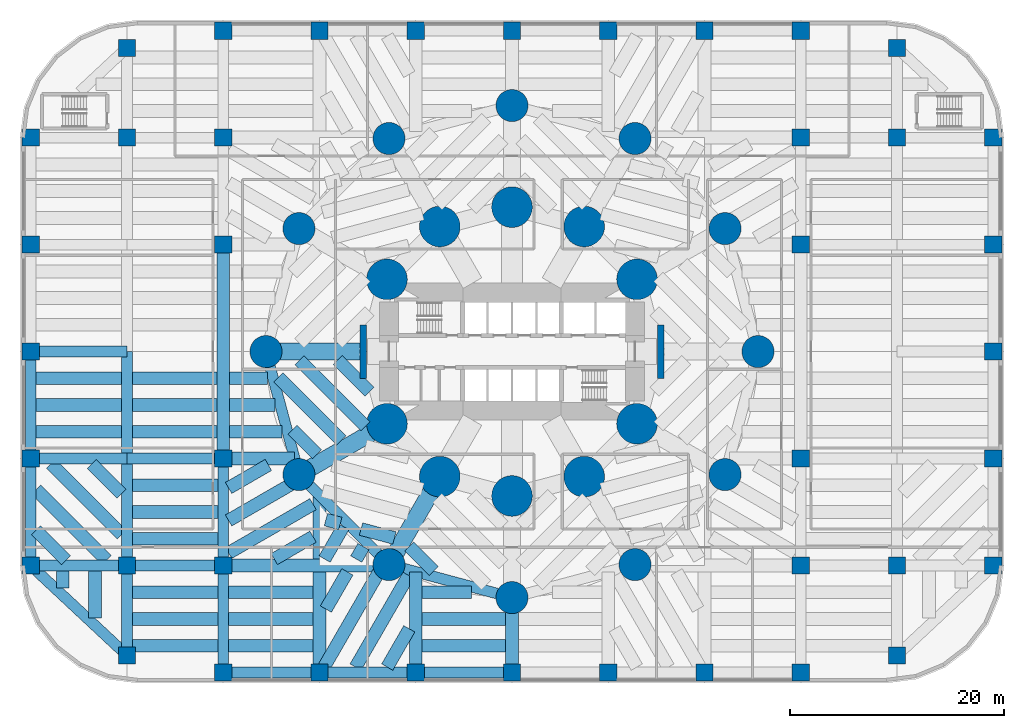
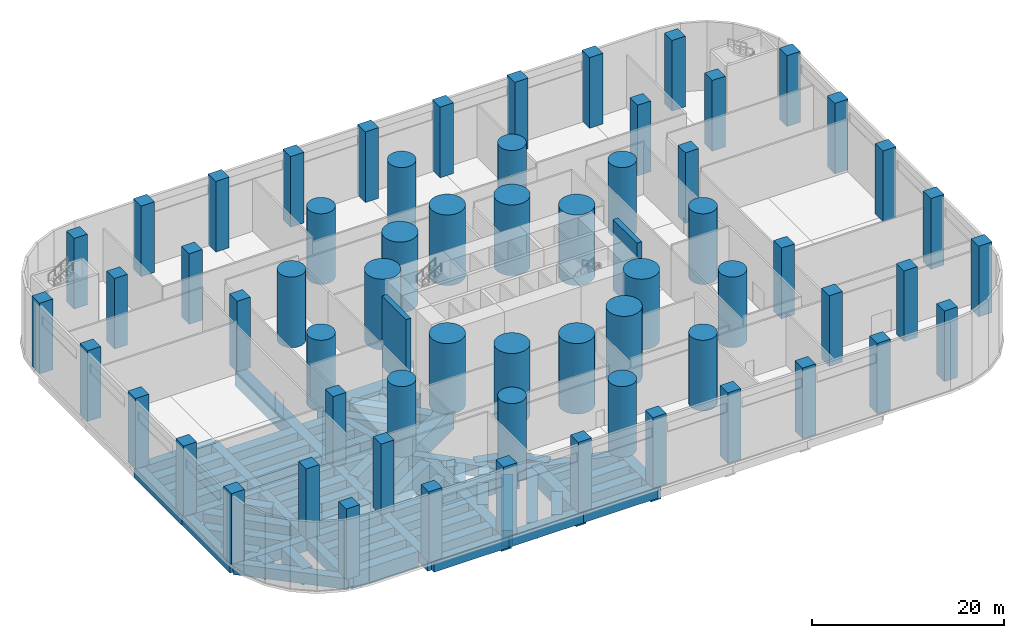
# One storey, part 1 of 13: 72 beams, 64 columns.
"""IFC4 building model written with IfcOpenShell, lengths in metres."""

import ifcopenshell
import ifcopenshell.guid

model = None  # the IFC model being written
_history = None  # IfcOwnerHistory: only IFC2X3 demands one
_inside = {}  # id of a spatial element -> (the spatial element, [elements in it])
_under = {}  # id of a project, library or spatial element -> (it, [spatial elements below it])
_declared = {}  # id of a project -> (the project, [libraries it declares])
_typed = {}  # id of a type object -> (the type object, [elements of that type])
_made_of = {}  # id of a material, layer set ... -> (it, [elements and type objects made of it])


def new_model(schema):
    """Start an empty IFC model of exactly this schema.

    Asked for "IFC4X3", IfcOpenShell would pick the latest addendum, in which some entities
    have other attributes; the version numbers below select the first issue.
    IFC2X3 requires an IfcOwnerHistory on every rooted entity: one is made here for all.
    """
    global model, _history
    if schema == "IFC4X3":
        model = ifcopenshell.file(schema_version=(4, 3, 0, 0))
    else:
        model = ifcopenshell.file(schema=schema)
    _inside.clear()
    _under.clear()
    _declared.clear()
    _typed.clear()
    _made_of.clear()
    _history = None
    if model.schema == "IFC2X3":
        org = make("IfcOrganization", Name="unknown")
        user = make(
            "IfcPersonAndOrganization",
            ThePerson=make("IfcPerson", FamilyName="unknown"),
            TheOrganization=org,
        )
        app = make(
            "IfcApplication",
            ApplicationDeveloper=org,
            Version="unknown",
            ApplicationFullName="unknown",
            ApplicationIdentifier="unknown",
        )
        _history = make(
            "IfcOwnerHistory",
            OwningUser=user,
            OwningApplication=app,
            ChangeAction="ADDED",
            CreationDate=0,
        )
    return model


def make(cls, **values):
    """One entity of the class cls with the attributes given. An attribute that is None is left unset."""
    return model.create_entity(
        cls, **{name: value for name, value in values.items() if value is not None}
    )


def rooted(cls, **values):
    """An entity with a GlobalId (a new one), such as an element, a storey or a relation."""
    return make(cls, GlobalId=ifcopenshell.guid.new(), OwnerHistory=_history, **values)


def si_unit(unit_type, name, prefix=None):
    """IfcSIUnit, for example si_unit("LENGTHUNIT", "METRE", prefix="MILLI")."""
    return make("IfcSIUnit", UnitType=unit_type, Prefix=prefix, Name=name)


def assignment(units):
    """IfcUnitAssignment: the units of a project."""
    return None if units is None else make("IfcUnitAssignment", Units=units)


def point(xyz):
    """IfcCartesianPoint."""
    return None if xyz is None else make("IfcCartesianPoint", Coordinates=xyz)


def direction(xyz):
    """IfcDirection."""
    return None if xyz is None else make("IfcDirection", DirectionRatios=xyz)


def frame(location, z_axis=None, x_axis=None):
    """IfcAxis2Placement3D, a coordinate frame: its origin and axes. An axis left out is left unset."""
    return make(
        "IfcAxis2Placement3D",
        Location=point(location),
        Axis=direction(z_axis),
        RefDirection=direction(x_axis),
    )


def frame_2d(location, x_axis=None):
    """IfcAxis2Placement2D, a coordinate frame in the plane: its origin and x axis."""
    return make(
        "IfcAxis2Placement2D", Location=point(location), RefDirection=direction(x_axis)
    )


def origin():
    """The frame at (0, 0, 0) with its axes left unset."""
    return frame((0.0, 0.0, 0.0))


def origin_2d():
    """The frame at (0, 0) in the plane with its x axis left unset."""
    return frame_2d((0.0, 0.0))


def place(relative_to, where):
    """IfcLocalPlacement: puts the frame where relative to a parent placement (None: the world)."""
    return make(
        "IfcLocalPlacement", PlacementRelTo=relative_to, RelativePlacement=where
    )


def context(
    kind, dimensions, precision=None, world=None, true_north=None, identifier=None
):
    """IfcGeometricRepresentationContext, for example the 3D "Model" context."""
    return make(
        "IfcGeometricRepresentationContext",
        ContextIdentifier=identifier,
        ContextType=kind,
        CoordinateSpaceDimension=dimensions,
        Precision=precision,
        WorldCoordinateSystem=world,
        TrueNorth=true_north,
    )


def subcontext(parent, identifier, kind, view, scale=None):
    """IfcGeometricRepresentationSubContext, for example "Body" below "Model"."""
    return make(
        "IfcGeometricRepresentationSubContext",
        ContextIdentifier=identifier,
        ContextType=kind,
        ParentContext=parent,
        TargetScale=scale,
        TargetView=view,
    )


def project(units=None, contexts=None):
    """IfcProject with its units and contexts."""
    return rooted(
        "IfcProject",
        Name="project",
        RepresentationContexts=contexts,
        UnitsInContext=assignment(units),
    )


def spatial(cls, under=None, at=None, **own):
    """A site, building, storey or space (cls), placed at a placement, below another one or the project."""
    s = rooted(cls, ObjectPlacement=at, **own)
    if under is not None:
        _under.setdefault(under.id(), (under, []))[1].append(s)
    return s


def profile(cls, at=None, kind="AREA", **sizes):
    """A parametric profile (cls). Its sizes go by their IFC names, for example OverallWidth=200.0."""
    return make(cls, ProfileType=kind, Position=at, **sizes)


def rectangle(**sizes):
    """IfcRectangleProfileDef."""
    return profile("IfcRectangleProfileDef", **sizes)


def circle(**sizes):
    """IfcCircleProfileDef."""
    return profile("IfcCircleProfileDef", **sizes)


def extrude(swept, where, along, depth):
    """IfcExtrudedAreaSolid: the profile swept, set in the frame where, extruded along a direction by depth."""
    return make(
        "IfcExtrudedAreaSolid",
        SweptArea=swept,
        Position=where,
        ExtrudedDirection=direction(along),
        Depth=depth,
    )


def shape(context_of_items, identifier, shape_type, items):
    """IfcShapeRepresentation: the items that make up one representation, for example the "Body"."""
    return make(
        "IfcShapeRepresentation",
        ContextOfItems=context_of_items,
        RepresentationIdentifier=identifier,
        RepresentationType=shape_type,
        Items=items,
    )


def material(Name=None, Category=None):
    """IfcMaterial."""
    return make("IfcMaterial", Name=Name, Category=Category)


def material_profile(
    of_material, cross_section, Name=None, Category=None, Priority=None
):
    """IfcMaterialProfile: a cross section and its material."""
    return make(
        "IfcMaterialProfile",
        Name=Name,
        Material=of_material,
        Profile=cross_section,
        Priority=Priority,
        Category=Category,
    )


def profile_set(profiles, Name=None, composite=None):
    """IfcMaterialProfileSet."""
    return make(
        "IfcMaterialProfileSet",
        Name=Name,
        MaterialProfiles=profiles,
        CompositeProfile=composite,
    )


def made_of(thing, what):
    """Note that an element or type object is made of a material, layer set ...; save() writes the relation."""
    if what is not None:
        _made_of.setdefault(what.id(), (what, []))[1].append(thing)
    return thing


def type_object(cls, material=None, **own):
    """A type object (cls), such as IfcWallType, which elements share."""
    return made_of(rooted(cls, **own), material)


def element(
    cls,
    number,
    at=None,
    inside=None,
    cuts=None,
    type_object=None,
    material=None,
    context=None,
    identifier="Body",
    shape_type=None,
    held_by="IfcProductDefinitionShape",
    body=None,
    shapes=None,
    **own,
):
    """One element of the class cls, such as IfcWall. Its Tag is "e" and its number.

    at: its placement. inside: the storey or other place that contains it. cuts: it is an
    opening in that element (IfcRelVoidsElement). A single representation is given by context,
    identifier, shape_type and body (its items); several are given by shapes. held_by: the class
    of the entity that holds the representations. save() writes the other relations.
    """
    e = rooted(cls, Tag="e%d" % number, ObjectPlacement=at, **own)
    if body is not None:
        shapes = [shape(context, identifier, shape_type, body)]
    if shapes is not None:
        e.Representation = make(held_by, Representations=shapes)
    if inside is not None:
        _inside.setdefault(inside.id(), (inside, []))[1].append(e)
    if cuts is not None:
        rooted(
            "IfcRelVoidsElement", RelatingBuildingElement=cuts, RelatedOpeningElement=e
        )
    if type_object is not None:
        _typed.setdefault(type_object.id(), (type_object, []))[1].append(e)
    return made_of(e, material)


def aggregate(whole, parts):
    """IfcRelAggregates: a whole, such as a stair, and the parts it consists of."""
    return rooted("IfcRelAggregates", RelatingObject=whole, RelatedObjects=parts)


def save(model, path):
    """Write the relations noted so far, then the file.

    IfcRelAggregates (storeys below a building ...), IfcRelContainedInSpatialStructure (elements
    in a storey), IfcRelDefinesByType, IfcRelAssociatesMaterial and IfcRelDeclares: one each for
    every whole, place, type object, material and project.
    """
    for whole, parts in _under.values():
        aggregate(whole, parts)
    for where, things in _inside.values():
        rooted(
            "IfcRelContainedInSpatialStructure",
            RelatedElements=things,
            RelatingStructure=where,
        )
    for kind, things in _typed.values():
        rooted("IfcRelDefinesByType", RelatedObjects=things, RelatingType=kind)
    for what, things in _made_of.values():
        rooted("IfcRelAssociatesMaterial", RelatedObjects=things, RelatingMaterial=what)
    for by, libraries in _declared.values():
        rooted("IfcRelDeclares", RelatingContext=by, RelatedDefinitions=libraries)
    model.write(path)


model = new_model("IFC4")

# Units and contexts
model_context = context("Model", 3, precision=1e-05, world=origin(), true_north=direction((0.0, 1.0)))
body_context = subcontext(model_context, "Body", "Model", "MODEL_VIEW")
ifc_project = project(units=[si_unit("LENGTHUNIT", "METRE"), si_unit("AREAUNIT", "SQUARE_METRE"), si_unit("VOLUMEUNIT", "CUBIC_METRE"), si_unit("PLANEANGLEUNIT", "RADIAN"), si_unit("MASSUNIT", "GRAM", prefix="KILO")], contexts=[model_context])

# Site, building, storey
site_placement = place(None, origin())
site = spatial("IfcSite", under=ifc_project, at=site_placement, CompositionType="ELEMENT")
building_placement = place(site_placement, origin())
building = spatial("IfcBuilding", under=site, at=building_placement, Name="Qaws Media Tower", CompositionType="ELEMENT")
storey_placement = place(building_placement, frame((0.0, 0.0, 6.0)))
storey = spatial("IfcBuildingStorey", under=building, at=storey_placement, Name="L01", CompositionType="ELEMENT", Elevation=6.0)

# Columns
ifc_material_1 = material(Name="Concrete C70/85", Category="concrete")
ifc_material_profile_1 = material_profile(ifc_material_1, circle(Radius=1.5, at=origin_2d()), Name="RC D3000")
ifc_profile_set_1 = profile_set([ifc_material_profile_1], Name="Concrete C70/85")
column_type_1 = type_object("IfcColumnType", Name="Mega column RC D3000", PredefinedType="COLUMN", material=ifc_profile_set_1)
for number, where, z_axis, x_axis, name in (
    (1, (83.0, 50.0, 0.0), (0.0, 0.0, 1.0), (1.0, 0.0, 0.0), "MC1 mega column M01"),
    (2, (79.918701171875, 61.5, 0.0), (0.0, 0.0, 1.0), (1.0, 0.0, 0.0), "MC1 mega column M02"),
    (3, (71.5, 69.918701171875, 0.0), (0.0, 0.0, 1.0), (1.0, 0.0, 0.0), "MC1 mega column M03"),
    (4, (60.0, 73.0, 0.0), (0.0, 0.0, 1.0), (1.0, 0.0, 0.0), "MC1 mega column M04"),
    (5, (48.5, 69.918701171875, 0.0), (0.0, 0.0, 1.0), (1.0, 0.0, 0.0), "MC1 mega column M05"),
    (6, (40.081298828125, 61.5, 0.0), (0.0, 0.0, 1.0), (1.0, 0.0, 0.0), "MC1 mega column M06"),
    (7, (37.0, 50.0, 0.0), (0.0, 0.0, 1.0), (1.0, 0.0, 0.0), "MC1 mega column M07"),
    (8, (40.081298828125, 38.5, 0.0), (0.0, 0.0, 1.0), (1.0, 0.0, 0.0), "MC1 mega column M08"),
    (9, (48.5, 30.081298828125, 0.0), (0.0, 0.0, 1.0), (1.0, 0.0, 0.0), "MC1 mega column M09"),
    (10, (60.0, 27.0, 0.0), (0.0, 0.0, 1.0), (1.0, 0.0, 0.0), "MC1 mega column M10"),
    (11, (71.5, 30.081298828125, 0.0), (0.0, 0.0, 1.0), (1.0, 0.0, 0.0), "MC1 mega column M11"),
    (12, (79.918701171875, 38.5, 0.0), (0.0, 0.0, 1.0), (1.0, 0.0, 0.0), "MC1 mega column M12"),
):
    element("IfcColumn", number, at=place(storey_placement, frame(where, z_axis=z_axis, x_axis=x_axis)), inside=storey, type_object=column_type_1, Name=name, PredefinedType="COLUMN", context=body_context, shape_type="SweptSolid", body=[
        extrude(circle(Radius=1.5, at=origin_2d()), origin(), (0.0, 0.0, 1.0), 9.0),
    ])
ifc_material_2 = material(Name="Concrete C60/75", Category="concrete")
ifc_material_profile_2 = material_profile(ifc_material_2, rectangle(XDim=1.60009765625, YDim=1.60009765625, at=origin_2d()), Name="RC 1600x1600")
ifc_profile_set_2 = profile_set([ifc_material_profile_2], Name="Concrete C60/75")
column_type_2 = type_object("IfcColumnType", Name="Podium column RC 1600x1600", PredefinedType="COLUMN", material=ifc_profile_set_2)
for number, where, z_axis, x_axis, name in (
    (13, (33.0, 20.0, 0.0), (0.0, 0.0, 1.0), (1.0, 0.0, 0.0), "PC1 column 3/A"),
    (14, (42.0, 20.0, 0.0), (0.0, 0.0, 1.0), (1.0, 0.0, 0.0), "PC1 column 4/A"),
    (15, (51.0, 20.0, 0.0), (0.0, 0.0, 1.0), (1.0, 0.0, 0.0), "PC1 column 5/A"),
    (16, (60.0, 20.0, 0.0), (0.0, 0.0, 1.0), (1.0, 0.0, 0.0), "PC1 column 6/A"),
    (17, (69.0, 20.0, 0.0), (0.0, 0.0, 1.0), (1.0, 0.0, 0.0), "PC1 column 7/A"),
    (18, (78.0, 20.0, 0.0), (0.0, 0.0, 1.0), (1.0, 0.0, 0.0), "PC1 column 8/A"),
    (19, (87.0, 20.0, 0.0), (0.0, 0.0, 1.0), (1.0, 0.0, 0.0), "PC1 column 9/A"),
    (20, (24.0, 21.60009765625, 0.0), (0.0, 0.0, 1.0), (1.0, 0.0, 0.0), "PC1 column 2/A"),
    (21, (96.0, 21.60009765625, 0.0), (0.0, 0.0, 1.0), (1.0, 0.0, 0.0), "PC1 column 10/A"),
    (22, (15.0, 30.0, 0.0), (0.0, 0.0, 1.0), (1.0, 0.0, 0.0), "PC1 column 1/B"),
    (23, (24.0, 30.0, 0.0), (0.0, 0.0, 1.0), (1.0, 0.0, 0.0), "PC1 column 2/B"),
    (24, (33.0, 30.0, 0.0), (0.0, 0.0, 1.0), (1.0, 0.0, 0.0), "PC1 column 3/B"),
    (25, (87.0, 30.0, 0.0), (0.0, 0.0, 1.0), (1.0, 0.0, 0.0), "PC1 column 9/B"),
    (26, (96.0, 30.0, 0.0), (0.0, 0.0, 1.0), (1.0, 0.0, 0.0), "PC1 column 10/B"),
    (27, (105.0, 30.0, 0.0), (0.0, 0.0, 1.0), (1.0, 0.0, 0.0), "PC1 column 11/B"),
    (28, (15.0, 40.0, 0.0), (0.0, 0.0, 1.0), (1.0, 0.0, 0.0), "PC1 column 1/C"),
    (29, (33.0, 40.0, 0.0), (0.0, 0.0, 1.0), (1.0, 0.0, 0.0), "PC1 column 3/C"),
    (30, (87.0, 40.0, 0.0), (0.0, 0.0, 1.0), (1.0, 0.0, 0.0), "PC1 column 9/C"),
    (31, (105.0, 40.0, 0.0), (0.0, 0.0, 1.0), (1.0, 0.0, 0.0), "PC1 column 11/C"),
    (32, (15.0, 50.0, 0.0), (0.0, 0.0, 1.0), (1.0, 0.0, 0.0), "PC1 column 1/D"),
    (33, (105.0, 50.0, 0.0), (0.0, 0.0, 1.0), (1.0, 0.0, 0.0), "PC1 column 11/D"),
    (34, (15.0, 60.0, 0.0), (0.0, 0.0, 1.0), (1.0, 0.0, 0.0), "PC1 column 1/E"),
    (35, (33.0, 60.0, 0.0), (0.0, 0.0, 1.0), (1.0, 0.0, 0.0), "PC1 column 3/E"),
    (36, (87.0, 60.0, 0.0), (0.0, 0.0, 1.0), (1.0, 0.0, 0.0), "PC1 column 9/E"),
    (37, (105.0, 60.0, 0.0), (0.0, 0.0, 1.0), (1.0, 0.0, 0.0), "PC1 column 11/E"),
    (38, (15.0, 70.0, 0.0), (0.0, 0.0, 1.0), (1.0, 0.0, 0.0), "PC1 column 1/F"),
    (39, (24.0, 70.0, 0.0), (0.0, 0.0, 1.0), (1.0, 0.0, 0.0), "PC1 column 2/F"),
    (40, (33.0, 70.0, 0.0), (0.0, 0.0, 1.0), (1.0, 0.0, 0.0), "PC1 column 3/F"),
    (41, (87.0, 70.0, 0.0), (0.0, 0.0, 1.0), (1.0, 0.0, 0.0), "PC1 column 9/F"),
    (42, (96.0, 70.0, 0.0), (0.0, 0.0, 1.0), (1.0, 0.0, 0.0), "PC1 column 10/F"),
    (43, (105.0, 70.0, 0.0), (0.0, 0.0, 1.0), (1.0, 0.0, 0.0), "PC1 column 11/F"),
    (44, (24.0, 78.39990234375, 0.0), (0.0, 0.0, 1.0), (1.0, 0.0, 0.0), "PC1 column 2/G"),
    (45, (96.0, 78.39990234375, 0.0), (0.0, 0.0, 1.0), (1.0, 0.0, 0.0), "PC1 column 10/G"),
    (46, (33.0, 80.0, 0.0), (0.0, 0.0, 1.0), (1.0, 0.0, 0.0), "PC1 column 3/G"),
    (47, (42.0, 80.0, 0.0), (0.0, 0.0, 1.0), (1.0, 0.0, 0.0), "PC1 column 4/G"),
    (48, (51.0, 80.0, 0.0), (0.0, 0.0, 1.0), (1.0, 0.0, 0.0), "PC1 column 5/G"),
    (49, (60.0, 80.0, 0.0), (0.0, 0.0, 1.0), (1.0, 0.0, 0.0), "PC1 column 6/G"),
    (50, (69.0, 80.0, 0.0), (0.0, 0.0, 1.0), (1.0, 0.0, 0.0), "PC1 column 7/G"),
    (51, (78.0, 80.0, 0.0), (0.0, 0.0, 1.0), (1.0, 0.0, 0.0), "PC1 column 8/G"),
    (52, (87.0, 80.0, 0.0), (0.0, 0.0, 1.0), (1.0, 0.0, 0.0), "PC1 column 9/G"),
):
    element("IfcColumn", number, at=place(storey_placement, frame(where, z_axis=z_axis, x_axis=x_axis)), inside=storey, type_object=column_type_2, Name=name, PredefinedType="COLUMN", context=body_context, shape_type="SweptSolid", body=[
        extrude(rectangle(XDim=1.60009765625, YDim=1.60009765625, at=origin_2d()), origin(), (0.0, 0.0, 1.0), 9.0),
    ])
ifc_material_3 = material(Name="Concrete C70/85", Category="concrete")
ifc_material_profile_3 = material_profile(ifc_material_3, rectangle(XDim=0.60009765625, YDim=5.0, at=origin_2d()), Name="RC 600x5000")
ifc_profile_set_3 = profile_set([ifc_material_profile_3], Name="Concrete C70/85")
column_type_3 = type_object("IfcColumnType", Name="Podium inner blade column RC 600x5000", PredefinedType="COLUMN", material=ifc_profile_set_3)
for number, where, z_axis, x_axis, name in (
    (53, (73.89990234375, 50.0, 0.0), (0.0, 0.0, 1.0), (1.0, 0.0, 0.0), "PC4 inner blade column I01"),
    (54, (46.10009765625, 50.0, 0.0), (0.0, 0.0, 1.0), (1.0, 0.0, 0.0), "PC4 inner blade column I07"),
):
    element("IfcColumn", number, at=place(storey_placement, frame(where, z_axis=z_axis, x_axis=x_axis)), inside=storey, type_object=column_type_3, Name=name, PredefinedType="COLUMN", context=body_context, shape_type="SweptSolid", body=[
        extrude(rectangle(XDim=0.60009765625, YDim=5.0, at=origin_2d()), origin(), (0.0, 0.0, 1.0), 9.0),
    ])
ifc_material_4 = material(Name="Concrete C70/85", Category="concrete")
ifc_material_profile_4 = material_profile(ifc_material_4, circle(Radius=1.89990234375, at=origin_2d()), Name="RC D3800")
ifc_profile_set_4 = profile_set([ifc_material_profile_4], Name="Concrete C70/85")
column_type_4 = type_object("IfcColumnType", Name="Podium inner column RC D3800", PredefinedType="COLUMN", material=ifc_profile_set_4)
for number, where, z_axis, x_axis, name in (
    (55, (71.69140625, 56.75, 0.0), (0.0, 0.0, 1.0), (1.0, 0.0, 0.0), "PC3 inner column I02"),
    (56, (66.75, 61.69140625, 0.0), (0.0, 0.0, 1.0), (1.0, 0.0, 0.0), "PC3 inner column I03"),
    (57, (60.0, 63.5, 0.0), (0.0, 0.0, 1.0), (1.0, 0.0, 0.0), "PC3 inner column I04"),
    (58, (53.25, 61.69140625, 0.0), (0.0, 0.0, 1.0), (1.0, 0.0, 0.0), "PC3 inner column I05"),
    (59, (48.30859375, 56.75, 0.0), (0.0, 0.0, 1.0), (1.0, 0.0, 0.0), "PC3 inner column I06"),
    (60, (48.30859375, 43.25, 0.0), (0.0, 0.0, 1.0), (1.0, 0.0, 0.0), "PC3 inner column I08"),
    (61, (53.25, 38.30859375, 0.0), (0.0, 0.0, 1.0), (1.0, 0.0, 0.0), "PC3 inner column I09"),
    (62, (60.0, 36.5, 0.0), (0.0, 0.0, 1.0), (1.0, 0.0, 0.0), "PC3 inner column I10"),
    (63, (66.75, 38.30859375, 0.0), (0.0, 0.0, 1.0), (1.0, 0.0, 0.0), "PC3 inner column I11"),
    (64, (71.69140625, 43.25, 0.0), (0.0, 0.0, 1.0), (1.0, 0.0, 0.0), "PC3 inner column I12"),
):
    element("IfcColumn", number, at=place(storey_placement, frame(where, z_axis=z_axis, x_axis=x_axis)), inside=storey, type_object=column_type_4, Name=name, PredefinedType="COLUMN", context=body_context, shape_type="SweptSolid", body=[
        extrude(circle(Radius=1.89990234375, at=origin_2d()), origin(), (0.0, 0.0, 1.0), 9.0),
    ])

# Beams
ifc_material_5 = material(Name="Concrete C60/75", Category="concrete")
ifc_material_profile_5 = material_profile(ifc_material_5, rectangle(XDim=1.0, YDim=1.39990234375, at=origin_2d()), Name="RC 1000x1400")
ifc_profile_set_5 = profile_set([ifc_material_profile_5], Name="Concrete C60/75")
beam_type_1 = type_object("IfcBeamType", Name="Podium edge beam RC 1000x1400", PredefinedType="BEAM", material=ifc_profile_set_5)
for number, where, z_axis, x_axis, name in (
    (65, (37.0, 50.0, -1.0), (0.258809885148, -0.965928280645, 0.0), (0.965928280645, 0.258809885148, 0.0), "PB3 beam M07-M08"),
    (66, (40.081298828125, 38.5, -1.0), (0.707106781187, -0.707106781187, 0.0), (0.707106781187, 0.707106781187, 0.0), "PB3 beam M08-M09"),
    (67, (48.5, 30.081298828125, -1.0), (0.965928280645, -0.258809885148, 0.0), (0.258809885148, 0.965928280645, 0.0), "PB3 beam M09-M10"),
):
    element("IfcBeam", number, at=place(storey_placement, frame(where, z_axis=z_axis, x_axis=x_axis)), inside=storey, type_object=beam_type_1, Name=name, PredefinedType="BEAM", context=body_context, shape_type="SweptSolid", body=[
        extrude(rectangle(XDim=1.0, YDim=1.39990234375, at=origin_2d()), origin(), (0.0, 0.0, 1.0), 11.90576171875),
    ])
ifc_material_6 = material(Name="Concrete C60/75", Category="concrete")
ifc_material_profile_6 = material_profile(ifc_material_6, rectangle(XDim=1.0, YDim=1.39990234375, at=origin_2d()), Name="RC 1000x1400")
ifc_profile_set_6 = profile_set([ifc_material_profile_6], Name="Concrete C60/75")
beam_type_2 = type_object("IfcBeamType", Name="Podium girder RC 1000x1400", PredefinedType="BEAM", material=ifc_profile_set_6)
for number, where, z_axis, x_axis, name in (
    (68, (33.0, 20.0, -1.0), (1.0, 0.0, 0.0), (0.0, 1.0, 0.0), "PB5 beam 3-4/A"),
    (69, (42.0, 20.0, -1.0), (1.0, 0.0, 0.0), (0.0, 1.0, 0.0), "PB5 beam 4-5/A"),
    (70, (51.0, 20.0, -1.0), (1.0, 0.0, 0.0), (0.0, 1.0, 0.0), "PB5 beam 5-6/A"),
    (71, (15.0, 30.0, -1.0), (1.0, 0.0, 0.0), (0.0, 1.0, 0.0), "PB5 beam 1-2/B"),
    (72, (24.0, 30.0, -1.0), (1.0, 0.0, 0.0), (0.0, 1.0, 0.0), "PB5 beam 2-3/B"),
    (73, (15.0, 40.0, -1.0), (1.0, 0.0, 0.0), (0.0, 1.0, 0.0), "PB5 beam 1-2/C"),
    (74, (24.0, 40.0, -1.0), (1.0, 0.0, 0.0), (0.0, 1.0, 0.0), "PB5 beam 2-3/C"),
    (75, (15.0, 50.0, -1.0), (1.0, 0.0, 0.0), (0.0, 1.0, 0.0), "PB5 beam 1-2/D"),
):
    element("IfcBeam", number, at=place(storey_placement, frame(where, z_axis=z_axis, x_axis=x_axis)), inside=storey, type_object=beam_type_2, Name=name, PredefinedType="BEAM", context=body_context, shape_type="SweptSolid", body=[
        extrude(rectangle(XDim=1.0, YDim=1.39990234375, at=origin_2d()), origin(), (0.0, 0.0, 1.0), 9.0),
    ])
for number, where, z_axis, x_axis, name in (
    (76, (15.0, 30.0, -1.0), (0.0, 1.0, 0.0), (-1.0, 0.0, 0.0), "PB5 beam 1/B-C"),
    (77, (15.0, 40.0, -1.0), (0.0, 1.0, 0.0), (-1.0, 0.0, 0.0), "PB5 beam 1/C-D"),
):
    element("IfcBeam", number, at=place(storey_placement, frame(where, z_axis=z_axis, x_axis=x_axis)), inside=storey, type_object=beam_type_2, Name=name, PredefinedType="BEAM", context=body_context, shape_type="SweptSolid", body=[
        extrude(rectangle(XDim=1.0, YDim=1.39990234375, at=origin_2d()), origin(), (0.0, 0.0, 1.0), 10.0),
    ])
beam_1_placement = place(storey_placement, frame((24.0, 21.60009765625, -1.0), z_axis=(0.0, 1.0, 0.0), x_axis=(-1.0, 0.0, 0.0)))
element("IfcBeam", 78, at=beam_1_placement, inside=storey, type_object=beam_type_2, Name="PB5 beam 2/A-B", PredefinedType="BEAM", context=body_context, shape_type="SweptSolid", body=[
    extrude(rectangle(XDim=1.0, YDim=1.39990234375, at=origin_2d()), origin(), (0.0, 0.0, 1.0), 8.39990234375),
])
for number, where, z_axis, x_axis, name in (
    (79, (24.0, 30.0, -1.0), (0.0, 1.0, 0.0), (-1.0, 0.0, 0.0), "PB5 beam 2/B-C"),
    (80, (24.0, 40.0, -1.0), (0.0, 1.0, 0.0), (-1.0, 0.0, 0.0), "PB5 beam 2/C-D"),
    (81, (33.0, 20.0, -1.0), (0.0, 1.0, 0.0), (-1.0, 0.0, 0.0), "PB5 beam 3/A-B"),
    (82, (33.0, 30.0, -1.0), (0.0, 1.0, 0.0), (-1.0, 0.0, 0.0), "PB5 beam 3/B-C"),
):
    element("IfcBeam", number, at=place(storey_placement, frame(where, z_axis=z_axis, x_axis=x_axis)), inside=storey, type_object=beam_type_2, Name=name, PredefinedType="BEAM", context=body_context, shape_type="SweptSolid", body=[
        extrude(rectangle(XDim=1.0, YDim=1.39990234375, at=origin_2d()), origin(), (0.0, 0.0, 1.0), 10.0),
    ])
beam_2_placement = place(storey_placement, frame((15.0, 30.0, -1.0), z_axis=(0.73105922506, -0.682314010889, 0.0), x_axis=(0.682314010889, 0.73105922506, 0.0)))
element("IfcBeam", 83, at=beam_2_placement, inside=storey, type_object=beam_type_2, Name="PB5 beam 1/B-2/A", PredefinedType="BEAM", context=body_context, shape_type="SweptSolid", body=[
    extrude(rectangle(XDim=1.0, YDim=1.39990234375, at=origin_2d()), origin(), (0.0, 0.0, 1.0), 12.310791015625),
])
ifc_material_7 = material(Name="Concrete C60/75", Category="concrete")
ifc_material_profile_7 = material_profile(ifc_material_7, rectangle(XDim=1.199951171875, YDim=2.0, at=origin_2d()), Name="RC 1200x2000")
ifc_profile_set_7 = profile_set([ifc_material_profile_7], Name="Concrete C60/75")
beam_type_3 = type_object("IfcBeamType", Name="Podium long trimmer beam RC 1200x2000", PredefinedType="BEAM", material=ifc_profile_set_7)
beam_3_placement = place(storey_placement, frame((33.0, 30.0, -1.300048828125), z_axis=(1.0, 0.0, 0.0), x_axis=(0.0, 1.0, 0.0)))
element("IfcBeam", 84, at=beam_3_placement, inside=storey, type_object=beam_type_3, Name="PB11 beam 3/B to the tower ring", PredefinedType="BEAM", context=body_context, shape_type="SweptSolid", body=[
    extrude(rectangle(XDim=1.199951171875, YDim=2.0, at=origin_2d()), origin(), (0.0, 0.0, 1.0), 15.803955078125),
])
beam_4_placement = place(storey_placement, frame((33.0, 40.0, -1.300048828125), z_axis=(0.0, 1.0, 0.0), x_axis=(-1.0, 0.0, 0.0)))
element("IfcBeam", 85, at=beam_4_placement, inside=storey, type_object=beam_type_3, Name="PB11 beam 3/C-3/E", PredefinedType="BEAM", context=body_context, shape_type="SweptSolid", body=[
    extrude(rectangle(XDim=1.199951171875, YDim=2.0, at=origin_2d()), origin(), (0.0, 0.0, 1.0), 20.0),
])
beam_5_placement = place(storey_placement, frame((42.0, 20.0, -1.300048828125), z_axis=(0.0, 1.0, 0.0), x_axis=(-1.0, 0.0, 0.0)))
element("IfcBeam", 86, at=beam_5_placement, inside=storey, type_object=beam_type_3, Name="PB11 beam 4/A to the tower ring", PredefinedType="BEAM", context=body_context, shape_type="SweptSolid", body=[
    extrude(rectangle(XDim=1.199951171875, YDim=2.0, at=origin_2d()), origin(), (0.0, 0.0, 1.0), 16.581298828125),
])
ifc_material_8 = material(Name="Concrete C60/75", Category="concrete")
ifc_material_profile_8 = material_profile(ifc_material_8, rectangle(XDim=1.199951171875, YDim=2.0, at=origin_2d()), Name="RC 1200x2000")
ifc_profile_set_8 = profile_set([ifc_material_profile_8], Name="Concrete C60/75")
beam_type_4 = type_object("IfcBeamType", Name="Podium secondary beam RC 1200x2000", PredefinedType="BEAM", material=ifc_profile_set_8)
beam_6_placement = place(storey_placement, frame((21.0, 25.083984375, -1.300048828125), z_axis=(0.0, 1.0, 0.0), x_axis=(-1.0, 0.0, 0.0)))
element("IfcBeam", 87, at=beam_6_placement, inside=storey, type_object=beam_type_4, Name="PB7 beam bay 1A line 1", PredefinedType="BEAM", context=body_context, shape_type="SweptSolid", body=[
    extrude(rectangle(XDim=1.199951171875, YDim=2.0, at=origin_2d()), origin(), (0.0, 0.0, 1.0), 4.416015625),
])
beam_7_placement = place(storey_placement, frame((18.0, 27.884033203125, -1.300048828125), z_axis=(0.0, 1.0, 0.0), x_axis=(-1.0, 0.0, 0.0)))
element("IfcBeam", 88, at=beam_7_placement, inside=storey, type_object=beam_type_4, Name="PB7 beam bay 1A line 2", PredefinedType="BEAM", context=body_context, shape_type="SweptSolid", body=[
    extrude(rectangle(XDim=1.199951171875, YDim=2.0, at=origin_2d()), origin(), (0.0, 0.0, 1.0), 1.615966796875),
])
beam_8_placement = place(storey_placement, frame((23.5, 36.699951171875, -1.300048828125), z_axis=(-0.707106781187, 0.707106781187, 0.0), x_axis=(-0.707106781187, -0.707106781187, 0.0)))
element("IfcBeam", 89, at=beam_8_placement, inside=storey, type_object=beam_type_4, Name="PB7 beam bay 1B line 1", PredefinedType="BEAM", context=body_context, shape_type="SweptSolid", body=[
    extrude(rectangle(XDim=1.199951171875, YDim=2.0, at=origin_2d()), origin(), (0.0, 0.0, 1.0), 3.9599609375),
])
for number, where, z_axis, x_axis, name in (
    (90, (23.5, 32.89990234375, -1.300048828125), (-0.707106781187, 0.707106781187, 0.0), (-0.707106781187, -0.707106781187, 0.0), "PB7 beam bay 1B line 2"),
    (91, (22.10009765625, 30.5, -1.300048828125), (-0.707106781187, 0.707106781187, 0.0), (-0.707106781187, -0.707106781187, 0.0), "PB7 beam bay 1B line 3"),
):
    element("IfcBeam", number, at=place(storey_placement, frame(where, z_axis=z_axis, x_axis=x_axis)), inside=storey, type_object=beam_type_4, Name=name, PredefinedType="BEAM", context=body_context, shape_type="SweptSolid", body=[
        extrude(rectangle(XDim=1.199951171875, YDim=2.0, at=origin_2d()), origin(), (0.0, 0.0, 1.0), 9.333984375),
    ])
beam_9_placement = place(storey_placement, frame((18.300048828125, 30.5, -1.300048828125), z_axis=(-0.707106781187, 0.707106781187, 0.0), x_axis=(-0.707106781187, -0.707106781187, 0.0)))
element("IfcBeam", 92, at=beam_9_placement, inside=storey, type_object=beam_type_4, Name="PB7 beam bay 1B line 4", PredefinedType="BEAM", context=body_context, shape_type="SweptSolid", body=[
    extrude(rectangle(XDim=1.199951171875, YDim=2.0, at=origin_2d()), origin(), (0.0, 0.0, 1.0), 3.9599609375),
])
for number, where, z_axis, x_axis, name in (
    (93, (15.5, 42.5, -1.300048828125), (1.0, 0.0, 0.0), (0.0, 1.0, 0.0), "PB7 beam bay 1C line 1"),
    (94, (15.5, 45.0, -1.300048828125), (1.0, 0.0, 0.0), (0.0, 1.0, 0.0), "PB7 beam bay 1C line 2"),
    (95, (15.5, 47.5, -1.300048828125), (1.0, 0.0, 0.0), (0.0, 1.0, 0.0), "PB7 beam bay 1C line 3"),
    (96, (24.5, 22.5, -1.300048828125), (1.0, 0.0, 0.0), (0.0, 1.0, 0.0), "PB7 beam bay 2A line 1"),
    (97, (24.5, 25.0, -1.300048828125), (1.0, 0.0, 0.0), (0.0, 1.0, 0.0), "PB7 beam bay 2A line 2"),
    (98, (24.5, 27.5, -1.300048828125), (1.0, 0.0, 0.0), (0.0, 1.0, 0.0), "PB7 beam bay 2A line 3"),
    (99, (24.5, 32.5, -1.300048828125), (1.0, 0.0, 0.0), (0.0, 1.0, 0.0), "PB7 beam bay 2B line 1"),
    (100, (24.5, 35.0, -1.300048828125), (1.0, 0.0, 0.0), (0.0, 1.0, 0.0), "PB7 beam bay 2B line 2"),
    (101, (24.5, 37.5, -1.300048828125), (1.0, 0.0, 0.0), (0.0, 1.0, 0.0), "PB7 beam bay 2B line 3"),
):
    element("IfcBeam", number, at=place(storey_placement, frame(where, z_axis=z_axis, x_axis=x_axis)), inside=storey, type_object=beam_type_4, Name=name, PredefinedType="BEAM", context=body_context, shape_type="SweptSolid", body=[
        extrude(rectangle(XDim=1.199951171875, YDim=2.0, at=origin_2d()), origin(), (0.0, 0.0, 1.0), 8.0),
    ])
for number, where, z_axis, x_axis, name in (
    (102, (24.5, 42.5, -1.300048828125), (1.0, 0.0, 0.0), (0.0, 1.0, 0.0), "PB7 beam bay 2C line 1"),
    (103, (24.5, 45.0, -1.300048828125), (1.0, 0.0, 0.0), (0.0, 1.0, 0.0), "PB7 beam bay 2C line 2"),
    (104, (24.5, 47.5, -1.300048828125), (1.0, 0.0, 0.0), (0.0, 1.0, 0.0), "PB7 beam bay 2C line 3"),
    (105, (33.5, 22.5, -1.300048828125), (1.0, 0.0, 0.0), (0.0, 1.0, 0.0), "PB7 beam bay 3A line 1"),
    (106, (33.5, 25.0, -1.300048828125), (1.0, 0.0, 0.0), (0.0, 1.0, 0.0), "PB7 beam bay 3A line 2"),
    (107, (33.5, 27.5, -1.300048828125), (1.0, 0.0, 0.0), (0.0, 1.0, 0.0), "PB7 beam bay 3A line 3"),
):
    element("IfcBeam", number, at=place(storey_placement, frame(where, z_axis=z_axis, x_axis=x_axis)), inside=storey, type_object=beam_type_4, Name=name, PredefinedType="BEAM", context=body_context, shape_type="SweptSolid", body=[
        extrude(rectangle(XDim=1.199951171875, YDim=2.0, at=origin_2d()), origin(), (0.0, 0.0, 1.0), 7.89990234375),
    ])
beam_10_placement = place(storey_placement, frame((37.775146484375, 30.60009765625, -1.300048828125), z_axis=(0.866023369196, 0.500003523994, 0.0), x_axis=(-0.500003523994, 0.866023369196, 0.0)))
element("IfcBeam", 108, at=beam_10_placement, inside=storey, type_object=beam_type_4, Name="PB7 beam bay 3B line 1", PredefinedType="BEAM", context=body_context, shape_type="SweptSolid", body=[
    extrude(rectangle(XDim=1.199951171875, YDim=2.0, at=origin_2d()), origin(), (0.0, 0.0, 1.0), 4.185546875),
])
beam_11_placement = place(storey_placement, frame((33.5, 31.1708984375, -1.300048828125), z_axis=(0.866024244995, 0.500002007077, 0.0), x_axis=(-0.500002007077, 0.866024244995, 0.0)))
element("IfcBeam", 109, at=beam_11_placement, inside=storey, type_object=beam_type_4, Name="PB7 beam bay 3B line 2", PredefinedType="BEAM", context=body_context, shape_type="SweptSolid", body=[
    extrude(rectangle(XDim=1.199951171875, YDim=2.0, at=origin_2d()), origin(), (0.0, 0.0, 1.0), 9.1220703125),
])
beam_12_placement = place(storey_placement, frame((33.5, 34.210205078125, -1.300048828125), z_axis=(0.866033686948, 0.499985652865, 0.0), x_axis=(-0.499985652865, 0.866033686948, 0.0)))
element("IfcBeam", 110, at=beam_12_placement, inside=storey, type_object=beam_type_4, Name="PB7 beam bay 3B line 3", PredefinedType="BEAM", context=body_context, shape_type="SweptSolid", body=[
    extrude(rectangle(XDim=1.199951171875, YDim=2.0, at=origin_2d()), origin(), (0.0, 0.0, 1.0), 7.440673828125),
])
beam_13_placement = place(storey_placement, frame((33.5, 37.24951171875, -1.300048828125), z_axis=(0.866040963478, 0.499973048851, 0.0), x_axis=(-0.499973048851, 0.866040963478, 0.0)))
element("IfcBeam", 111, at=beam_13_placement, inside=storey, type_object=beam_type_4, Name="PB7 beam bay 3B line 4", PredefinedType="BEAM", context=body_context, shape_type="SweptSolid", body=[
    extrude(rectangle(XDim=1.199951171875, YDim=2.0, at=origin_2d()), origin(), (0.0, 0.0, 1.0), 4.301025390625),
])
beam_14_placement = place(storey_placement, frame((33.60009765625, 42.5, -1.300048828125), z_axis=(1.0, 0.0, 0.0), x_axis=(0.0, 1.0, 0.0)))
element("IfcBeam", 112, at=beam_14_placement, inside=storey, type_object=beam_type_4, Name="PB7 beam bay 3C line 1", PredefinedType="BEAM", context=body_context, shape_type="SweptSolid", body=[
    extrude(rectangle(XDim=1.199951171875, YDim=2.0, at=origin_2d()), origin(), (0.0, 0.0, 1.0), 4.891845703125),
])
beam_15_placement = place(storey_placement, frame((33.60009765625, 45.0, -1.300048828125), z_axis=(1.0, 0.0, 0.0), x_axis=(0.0, 1.0, 0.0)))
element("IfcBeam", 113, at=beam_15_placement, inside=storey, type_object=beam_type_4, Name="PB7 beam bay 3C line 2", PredefinedType="BEAM", context=body_context, shape_type="SweptSolid", body=[
    extrude(rectangle(XDim=1.199951171875, YDim=2.0, at=origin_2d()), origin(), (0.0, 0.0, 1.0), 4.221923828125),
])
beam_16_placement = place(storey_placement, frame((33.60009765625, 47.5, -1.300048828125), z_axis=(1.0, 0.0, 0.0), x_axis=(0.0, 1.0, 0.0)))
element("IfcBeam", 114, at=beam_16_placement, inside=storey, type_object=beam_type_4, Name="PB7 beam bay 3C line 3", PredefinedType="BEAM", context=body_context, shape_type="SweptSolid", body=[
    extrude(rectangle(XDim=1.199951171875, YDim=2.0, at=origin_2d()), origin(), (0.0, 0.0, 1.0), 3.55224609375),
])
beam_17_placement = place(storey_placement, frame((48.333984375, 20.5, -1.300048828125), z_axis=(0.499990122378, 0.866031106557, 0.0), x_axis=(-0.866031106557, 0.499990122378, 0.0)))
element("IfcBeam", 115, at=beam_17_placement, inside=storey, type_object=beam_type_4, Name="PB7 beam bay 4A line 1", PredefinedType="BEAM", context=body_context, shape_type="SweptSolid", body=[
    extrude(rectangle(XDim=1.199951171875, YDim=2.0, at=origin_2d()), origin(), (0.0, 0.0, 1.0), 4.1318359375),
])
beam_18_placement = place(storey_placement, frame((45.37939453125, 20.5, -1.300048828125), z_axis=(0.499992846816, 0.866029533637, 0.0), x_axis=(-0.866029533637, 0.499992846816, 0.0)))
element("IfcBeam", 116, at=beam_18_placement, inside=storey, type_object=beam_type_4, Name="PB7 beam bay 4A line 2", PredefinedType="BEAM", context=body_context, shape_type="SweptSolid", body=[
    extrude(rectangle(XDim=1.199951171875, YDim=2.0, at=origin_2d()), origin(), (0.0, 0.0, 1.0), 9.900146484375),
])
beam_19_placement = place(storey_placement, frame((42.424560546875, 20.5, -1.300048828125), z_axis=(0.500004869266, 0.866022592494, 0.0), x_axis=(-0.866022592494, 0.500004869266, 0.0)))
element("IfcBeam", 117, at=beam_19_placement, inside=storey, type_object=beam_type_4, Name="PB7 beam bay 4A line 3", PredefinedType="BEAM", context=body_context, shape_type="SweptSolid", body=[
    extrude(rectangle(XDim=1.199951171875, YDim=2.0, at=origin_2d()), origin(), (0.0, 0.0, 1.0), 10.27685546875),
])
beam_20_placement = place(storey_placement, frame((42.60009765625, 25.921630859375, -1.300048828125), z_axis=(0.500022371132, 0.86601248742, 0.0), x_axis=(-0.86601248742, 0.500022371132, 0.0)))
element("IfcBeam", 118, at=beam_20_placement, inside=storey, type_object=beam_type_4, Name="PB7 beam bay 4A line 4", PredefinedType="BEAM", context=body_context, shape_type="SweptSolid", body=[
    extrude(rectangle(XDim=1.199951171875, YDim=2.0, at=origin_2d()), origin(), (0.0, 0.0, 1.0), 4.016357421875),
])
beam_21_placement = place(storey_placement, frame((45.43701171875, 30.60009765625, -1.300048828125), z_axis=(0.500062873969, 0.865989100438, 0.0), x_axis=(-0.865989100438, 0.500062873969, 0.0)))
element("IfcBeam", 119, at=beam_21_placement, inside=storey, type_object=beam_type_4, Name="PB7 beam bay 4B line 1", PredefinedType="BEAM", context=body_context, shape_type="SweptSolid", body=[
    extrude(rectangle(XDim=1.199951171875, YDim=2.0, at=origin_2d()), origin(), (0.0, 0.0, 1.0), 1.344970703125),
])
beam_22_placement = place(storey_placement, frame((42.482421875, 30.60009765625, -1.300048828125), z_axis=(0.500001597329, 0.866024481564, 0.0), x_axis=(-0.866024481564, 0.500001597329, 0.0)))
element("IfcBeam", 120, at=beam_22_placement, inside=storey, type_object=beam_type_4, Name="PB7 beam bay 4B line 2", PredefinedType="BEAM", context=body_context, shape_type="SweptSolid", body=[
    extrude(rectangle(XDim=1.199951171875, YDim=2.0, at=origin_2d()), origin(), (0.0, 0.0, 1.0), 3.5078125),
])
for number, where, z_axis, x_axis, name in (
    (121, (51.60009765625, 22.5, -1.300048828125), (1.0, 0.0, 0.0), (0.0, 1.0, 0.0), "PB7 beam bay 5A line 1"),
    (122, (51.60009765625, 25.0, -1.300048828125), (1.0, 0.0, 0.0), (0.0, 1.0, 0.0), "PB7 beam bay 5A line 2"),
):
    element("IfcBeam", number, at=place(storey_placement, frame(where, z_axis=z_axis, x_axis=x_axis)), inside=storey, type_object=beam_type_4, Name=name, PredefinedType="BEAM", context=body_context, shape_type="SweptSolid", body=[
        extrude(rectangle(XDim=1.199951171875, YDim=2.0, at=origin_2d()), origin(), (0.0, 0.0, 1.0), 7.7998046875),
    ])
beam_23_placement = place(storey_placement, frame((51.60009765625, 27.5, -1.300048828125), z_axis=(1.0, 0.0, 0.0), x_axis=(0.0, 1.0, 0.0)))
element("IfcBeam", 123, at=beam_23_placement, inside=storey, type_object=beam_type_4, Name="PB7 beam bay 5A line 3", PredefinedType="BEAM", context=body_context, shape_type="SweptSolid", body=[
    extrude(rectangle(XDim=1.199951171875, YDim=2.0, at=origin_2d()), origin(), (0.0, 0.0, 1.0), 4.60205078125),
])
beam_24_placement = place(storey_placement, frame((46.680419921875, 46.23583984375, -1.300048828125), z_axis=(-0.707106781187, 0.707106781187, 0.0), x_axis=(-0.707106781187, -0.707106781187, 0.0)))
element("IfcBeam", 124, at=beam_24_placement, inside=storey, type_object=beam_type_4, Name="PB7 beam bay T07 line 1", PredefinedType="BEAM", context=body_context, shape_type="SweptSolid", body=[
    extrude(rectangle(XDim=1.199951171875, YDim=2.0, at=origin_2d()), origin(), (0.0, 0.0, 1.0), 4.19189453125),
])
beam_25_placement = place(storey_placement, frame((46.311767578125, 43.020751953125, -1.300048828125), z_axis=(-0.707106781187, 0.707106781187, 0.0), x_axis=(-0.707106781187, -0.707106781187, 0.0)))
element("IfcBeam", 125, at=beam_25_placement, inside=storey, type_object=beam_type_4, Name="PB7 beam bay T07 line 2", PredefinedType="BEAM", context=body_context, shape_type="SweptSolid", body=[
    extrude(rectangle(XDim=1.199951171875, YDim=2.0, at=origin_2d()), origin(), (0.0, 0.0, 1.0), 8.73876953125),
])
beam_26_placement = place(storey_placement, frame((44.039794921875, 41.708984375, -1.300048828125), z_axis=(-0.707106781187, 0.707106781187, 0.0), x_axis=(-0.707106781187, -0.707106781187, 0.0)))
element("IfcBeam", 126, at=beam_26_placement, inside=storey, type_object=beam_type_4, Name="PB7 beam bay T07 line 3", PredefinedType="BEAM", context=body_context, shape_type="SweptSolid", body=[
    extrude(rectangle(XDim=1.199951171875, YDim=2.0, at=origin_2d()), origin(), (0.0, 0.0, 1.0), 8.30810546875),
])
for number, where, z_axis, x_axis, name in (
    (127, (41.767822265625, 40.3974609375, -1.300048828125), (-0.707144458383, 0.707069101983, 0.0), (-0.707069101983, -0.707144458383, 0.0), "PB7 beam bay T07 line 4"),
    (128, (49.01171875, 32.56787109375, -1.300048828125), (-0.965936615722, 0.258778775034, 0.0), (-0.258778775034, -0.965936615722, 0.0), "PB7 beam bay T08 line 4"),
):
    element("IfcBeam", number, at=place(storey_placement, frame(where, z_axis=z_axis, x_axis=x_axis)), inside=storey, type_object=beam_type_4, Name=name, PredefinedType="BEAM", context=body_context, shape_type="SweptSolid", body=[
        extrude(rectangle(XDim=1.199951171875, YDim=2.0, at=origin_2d()), origin(), (0.0, 0.0, 1.0), 3.23974609375),
    ])
beam_27_placement = place(storey_placement, frame((43.950439453125, 33.924072265625, -1.300048828125), z_axis=(-0.965927004363, 0.25881464843, 0.0), x_axis=(-0.25881464843, -0.965927004363, 0.0)))
element("IfcBeam", 129, at=beam_27_placement, inside=storey, type_object=beam_type_4, Name="PB7 beam bay T08 line 5", PredefinedType="BEAM", context=body_context, shape_type="SweptSolid", body=[
    extrude(rectangle(XDim=1.199951171875, YDim=2.0, at=origin_2d()), origin(), (0.0, 0.0, 1.0), 1.39794921875),
])
beam_28_placement = place(storey_placement, frame((52.688232421875, 29.476806640625, -1.300048828125), z_axis=(-0.707069101983, 0.707144458383, 0.0), x_axis=(-0.707144458383, -0.707069101983, 0.0)))
element("IfcBeam", 130, at=beam_28_placement, inside=storey, type_object=beam_type_4, Name="PB7 beam bay T09 line 4", PredefinedType="BEAM", context=body_context, shape_type="SweptSolid", body=[
    extrude(rectangle(XDim=1.199951171875, YDim=2.0, at=origin_2d()), origin(), (0.0, 0.0, 1.0), 3.23974609375),
])
ifc_material_9 = material(Name="Concrete C60/75", Category="concrete")
ifc_material_profile_9 = material_profile(ifc_material_9, rectangle(XDim=1.60009765625, YDim=2.60009765625, at=origin_2d()), Name="RC 1600x2600")
ifc_profile_set_9 = profile_set([ifc_material_profile_9], Name="Concrete C60/75")
beam_type_5 = type_object("IfcBeamType", Name="Podium tower beam RC 1600x2600", PredefinedType="BEAM", material=ifc_profile_set_9)
for number, where, z_axis, x_axis, name in (
    (131, (46.5, 50.0, -1.60009765625), (-1.0, 0.0, 0.0), (0.0, -1.0, 0.0), "PB9 beam I07-M07"),
    (132, (48.30859375, 43.25, -1.60009765625), (-0.86602681393, -0.499997557548, 0.0), (0.499997557548, -0.86602681393, 0.0), "PB9 beam I08-M08"),
    (133, (53.25, 38.30859375, -1.60009765625), (-0.499997557548, -0.86602681393, 0.0), (0.86602681393, -0.499997557548, 0.0), "PB9 beam I09-M09"),
):
    element("IfcBeam", number, at=place(storey_placement, frame(where, z_axis=z_axis, x_axis=x_axis)), inside=storey, type_object=beam_type_5, Name=name, PredefinedType="BEAM", context=body_context, shape_type="SweptSolid", body=[
        extrude(rectangle(XDim=1.60009765625, YDim=2.60009765625, at=origin_2d()), origin(), (0.0, 0.0, 1.0), 9.5),
    ])
ifc_material_10 = material(Name="Concrete C60/75", Category="concrete")
ifc_material_profile_10 = material_profile(ifc_material_10, rectangle(XDim=1.199951171875, YDim=2.0, at=origin_2d()), Name="RC 1200x2000")
ifc_profile_set_10 = profile_set([ifc_material_profile_10], Name="Concrete C60/75")
beam_type_6 = type_object("IfcBeamType", Name="Podium trimmer beam RC 1200x2000", PredefinedType="BEAM", material=ifc_profile_set_10)
beam_29_placement = place(storey_placement, frame((33.0, 40.0, -1.300048828125), z_axis=(1.0, 0.0, 0.0), x_axis=(0.0, 1.0, 0.0)))
element("IfcBeam", 134, at=beam_29_placement, inside=storey, type_object=beam_type_6, Name="PB4 beam 3/C to the tower ring", PredefinedType="BEAM", context=body_context, shape_type="SweptSolid", body=[
    extrude(rectangle(XDim=1.199951171875, YDim=2.0, at=origin_2d()), origin(), (0.0, 0.0, 1.0), 6.679443359375),
])
beam_30_placement = place(storey_placement, frame((51.0, 20.0, -1.300048828125), z_axis=(0.0, 1.0, 0.0), x_axis=(-1.0, 0.0, 0.0)))
element("IfcBeam", 135, at=beam_30_placement, inside=storey, type_object=beam_type_6, Name="PB4 beam 5/A to the tower ring", PredefinedType="BEAM", context=body_context, shape_type="SweptSolid", body=[
    extrude(rectangle(XDim=1.199951171875, YDim=2.0, at=origin_2d()), origin(), (0.0, 0.0, 1.0), 9.41162109375),
])
beam_31_placement = place(storey_placement, frame((60.0, 20.0, -1.300048828125), z_axis=(0.0, 1.0, 0.0), x_axis=(-1.0, 0.0, 0.0)))
element("IfcBeam", 136, at=beam_31_placement, inside=storey, type_object=beam_type_6, Name="PB4 beam 6/A to the tower ring", PredefinedType="BEAM", context=body_context, shape_type="SweptSolid", body=[
    extrude(rectangle(XDim=1.199951171875, YDim=2.0, at=origin_2d()), origin(), (0.0, 0.0, 1.0), 7.0),
])

save(model, "model.ifc")
